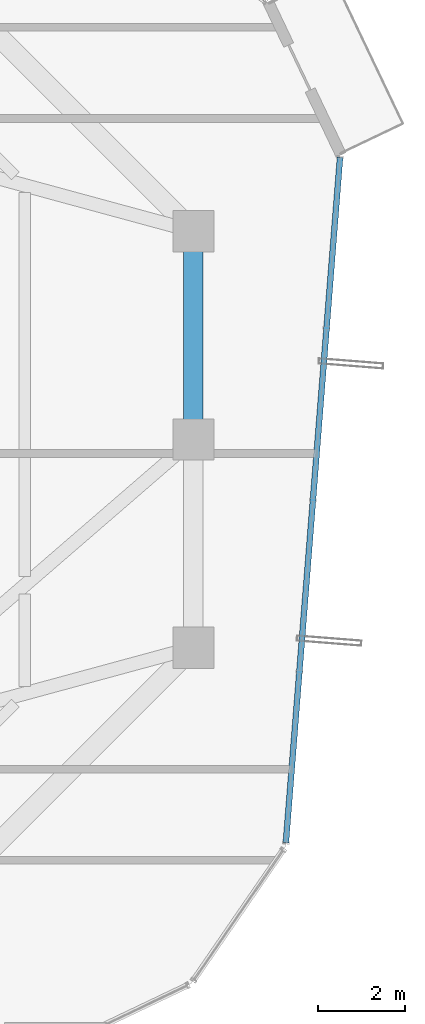
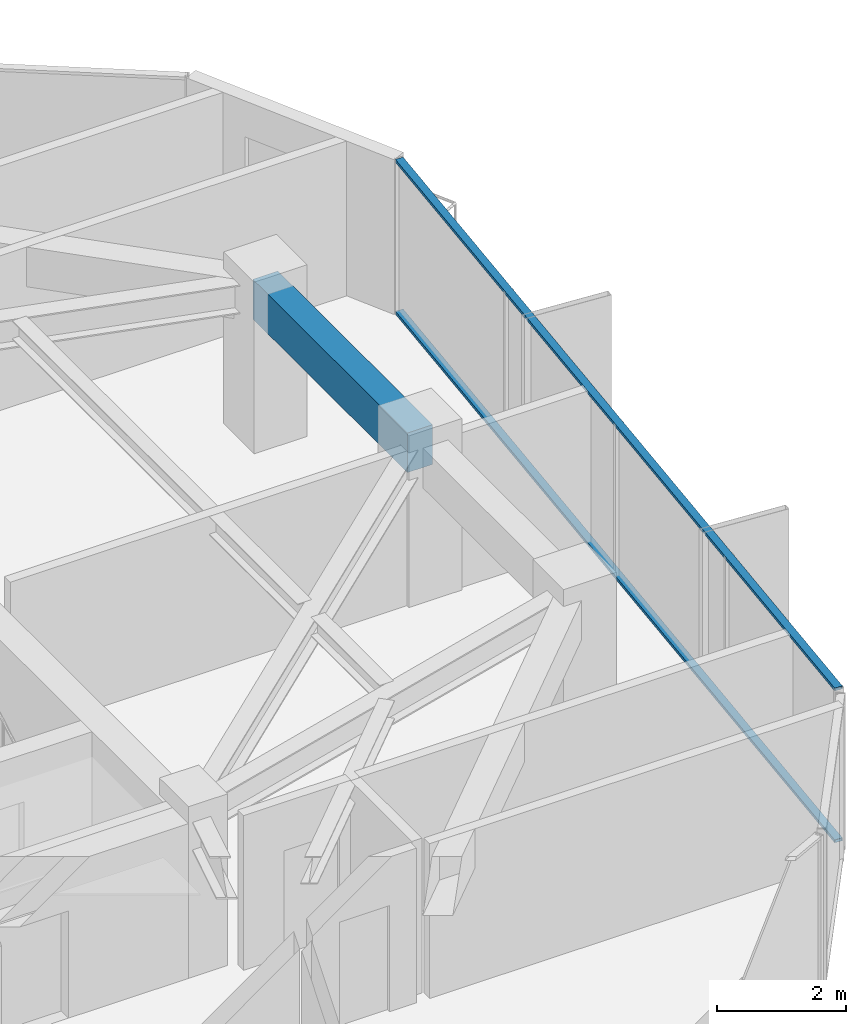
# One storey, part 16 of 29: 2 members, 1 beam, 1 element without a shape of its own.
"""IFC4 building model written with IfcOpenShell, lengths in metres."""

from ifc_helpers import new_model, si_unit, direction, frame, origin, origin_2d, place, context, subcontext, project, spatial, rectangle, hollow_rectangle, extrude, source, transform, mapped, material, layer, layer_set, material_profile, profile_set, type_object, element, aggregate, save


model = new_model("IFC4")

# Units and contexts
model_context = context("Model", 3, precision=1e-05, world=origin(), true_north=direction((0.0, 1.0)))
body_context = subcontext(model_context, "Body", "Model", "MODEL_VIEW")
ifc_project = project(units=[si_unit("LENGTHUNIT", "METRE"), si_unit("AREAUNIT", "SQUARE_METRE"), si_unit("VOLUMEUNIT", "CUBIC_METRE"), si_unit("PLANEANGLEUNIT", "RADIAN"), si_unit("MASSUNIT", "GRAM", prefix="KILO")], contexts=[model_context])

# Site, building, storey
site_placement = place(None, origin())
site = spatial("IfcSite", under=ifc_project, at=site_placement, CompositionType="ELEMENT")
building_placement = place(site_placement, origin())
building = spatial("IfcBuilding", under=site, at=building_placement, Name="Veraguas Prism Commons", CompositionType="ELEMENT")
storey_placement = place(building_placement, frame((0.0, 0.0, 222.14990234375)))
storey = spatial("IfcBuildingStorey", under=building, at=storey_placement, Name="L63", CompositionType="ELEMENT", Elevation=222.14990234375)

# Beam
ifc_material_1 = material(Name="Concrete C50/60", Category="concrete")
ifc_material_profile_1 = material_profile(ifc_material_1, rectangle(XDim=0.449951171875, YDim=0.75, at=origin_2d()), Name="RC450X750")
ifc_profile_set_1 = profile_set([ifc_material_profile_1], Name="Concrete C50/60")
beam_type = type_object("IfcBeamType", Name="Perimeter Spandrel Upper RC 450x750", PredefinedType="SPANDREL", material=ifc_profile_set_1)
beam_placement = place(storey_placement, frame((38.89990234375, 24.0, 2.55517578125), z_axis=(0.0, 1.0, 0.0), x_axis=(-1.0, 0.0, 0.0)))
element("IfcBeam", 1, at=beam_placement, inside=storey, type_object=beam_type, Name="Perimeter Spandrel Beam L63-SP02", PredefinedType="SPANDREL", context=body_context, shape_type="SweptSolid", body=[
    extrude(rectangle(XDim=0.449951171875, YDim=0.75, at=origin_2d()), origin(), (0.0, 0.0, 1.0), 4.800048828125),
])

# Curtain wall, members
ifc_material_2 = material(Name="Anodised aluminium EN AW-6063 T6", Category="aluminium")
ifc_layer = layer(ifc_material_2, 0.14990234375, Name="Unitised Flush Curtain Wall Zone 3", Category="aluminium")
ifc_layer_set = layer_set([ifc_layer], Name="Anodised aluminium EN AW-6063 T6")
curtain_wall_type = type_object("IfcCurtainWallType", Name="Unitised Flush Curtain Wall Zone 3", PredefinedType="NOTDEFINED", material=ifc_layer_set)
curtain_wall_placement = place(storey_placement, origin())
curtain_wall = element("IfcCurtainWall", 2, at=curtain_wall_placement, inside=storey, type_object=curtain_wall_type, Name="Tower Facade Curtain Wall L63-F6", PredefinedType="NOTDEFINED")
ifc_material_profile_2 = material_profile(ifc_material_2, hollow_rectangle(XDim=0.054931640625, YDim=0.135009765625, WallThickness=0.0029296875, at=origin_2d()), Name="AL55X135X3")
ifc_profile_set_2 = profile_set([ifc_material_profile_2], Name="Anodised aluminium EN AW-6063 T6")
member_type = type_object("IfcMemberType", Name="Curtain Wall Transom Standard AL 55x135x3", PredefinedType="USERDEFINED", material=ifc_profile_set_2)
shared_shape = source(origin(), body_context, "Body", "SweptSolid", [
    extrude(hollow_rectangle(XDim=0.054931640625, YDim=0.135009765625, WallThickness=0.0029296875, at=origin_2d()), origin(), (0.0, 0.0, 1.0), 15.842529296875),
])
member_1_placement = place(storey_placement, frame((41.03076171875, 14.707763671875, 0.027587890625), z_axis=(0.078824602007, 0.996888500344, 0.0), x_axis=(0.0, 0.0, 1.0)))
member_1 = element("IfcMember", 3, at=member_1_placement, type_object=member_type, Name="CW-Z3 Transom 1", ObjectType="TRANSOM", PredefinedType="USERDEFINED", context=body_context, shape_type="MappedRepresentation", body=[
    mapped(shared_shape, transform((0.0, 0.0, 0.0), scale=1.0)),
])
member_2_placement = place(storey_placement, frame((41.03076171875, 14.707763671875, 2.902587890625), z_axis=(0.078824602007, 0.996888500344, 0.0), x_axis=(0.0, 0.0, 1.0)))
member_2 = element("IfcMember", 4, at=member_2_placement, type_object=member_type, Name="CW-Z3 Transom 2", ObjectType="TRANSOM", PredefinedType="USERDEFINED", context=body_context, shape_type="MappedRepresentation", body=[
    mapped(shared_shape, transform((0.0, 0.0, 0.0), scale=1.0)),
])
aggregate(curtain_wall, [member_1, member_2])

save(model, "model.ifc")
